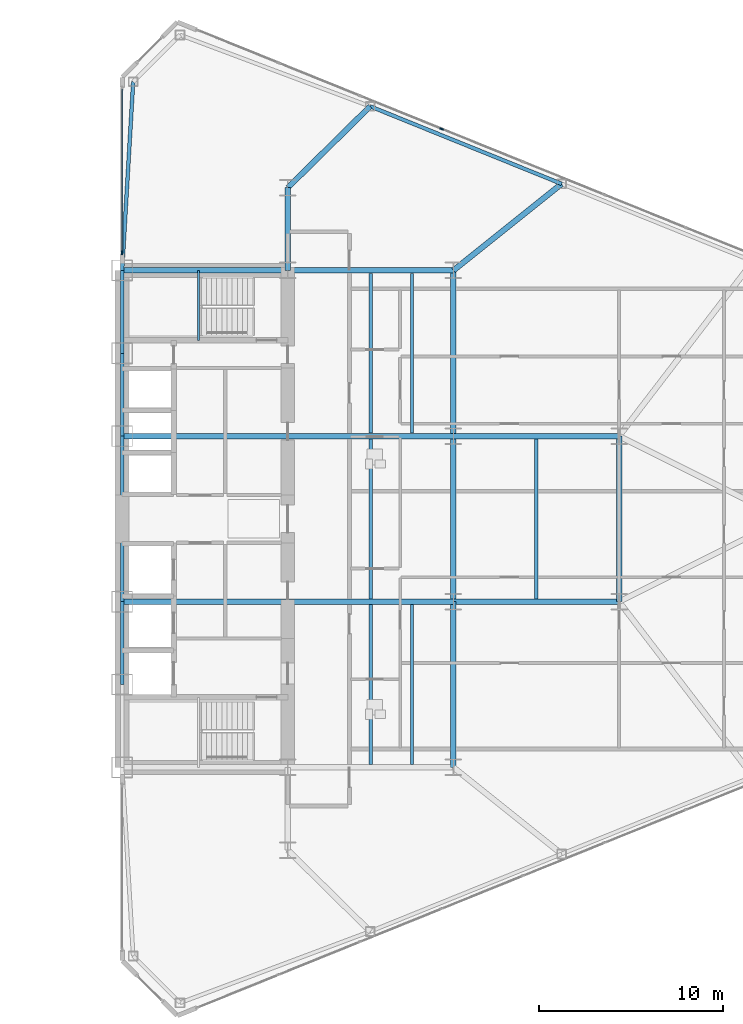
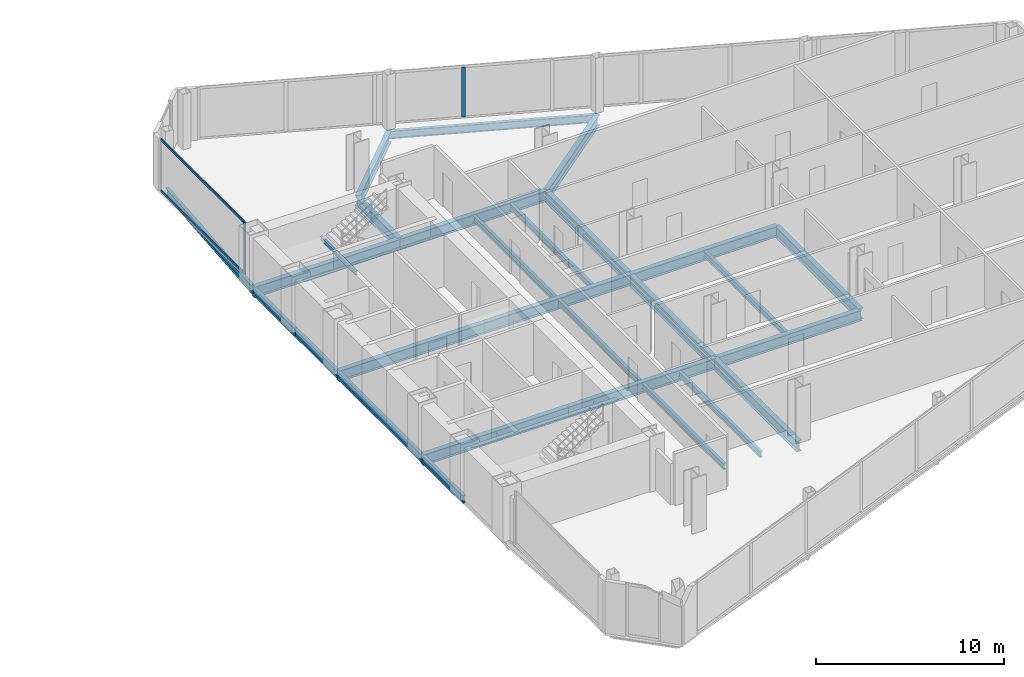
# One storey, part 11 of 25: 28 beams, 4 members, 2 elements without a shape of their own.
"""IFC4 building model written with IfcOpenShell, lengths in metres."""

from ifc_helpers import new_model, si_unit, direction, frame, origin, origin_2d, place, context, subcontext, project, spatial, rectangle, i_section, extrude, source, transform, mapped, material, layer, layer_set, material_profile, profile_set, type_object, type_shapes, element, aggregate, save


model = new_model("IFC4")

# Units and contexts
model_context = context("Model", 3, precision=1e-05, world=origin(), true_north=direction((0.0, 1.0)))
body_context = subcontext(model_context, "Body", "Model", "MODEL_VIEW")
ifc_project = project(units=[si_unit("LENGTHUNIT", "METRE"), si_unit("AREAUNIT", "SQUARE_METRE"), si_unit("VOLUMEUNIT", "CUBIC_METRE"), si_unit("PLANEANGLEUNIT", "RADIAN"), si_unit("MASSUNIT", "GRAM", prefix="KILO")], contexts=[model_context])

# Site, building, storey
site_placement = place(None, origin())
site = spatial("IfcSite", under=ifc_project, at=site_placement, CompositionType="ELEMENT")
building_placement = place(site_placement, origin())
building = spatial("IfcBuilding", under=site, at=building_placement, Name="Seokmaru Belvedere", CompositionType="ELEMENT")
storey_placement = place(building_placement, frame((0.0, 0.0, 44.10009765625)))
storey = spatial("IfcBuildingStorey", under=building, at=storey_placement, Name="L11", CompositionType="ELEMENT", Elevation=44.10009765625)

# Beams
ifc_material_1 = material(Name="Steel SM355 (355 MPa)", Category="steel")
ifc_material_profile_1 = material_profile(ifc_material_1, i_section(OverallWidth=0.199951171875, OverallDepth=0.5, WebThickness=0.010009765625, FlangeThickness=0.01611328125, at=origin_2d()), Name="H-500x200x10x16")
ifc_profile_set_1 = profile_set([ifc_material_profile_1], Name="Steel SM355 (355 MPa)")
beam_type_1 = type_object("IfcBeamType", Name="Perimeter Spandrel Beam H-500", PredefinedType="SPANDREL", material=ifc_profile_set_1)
shared_shape_1 = source(origin(), body_context, "Body", "SweptSolid", [
    extrude(i_section(OverallWidth=0.199951171875, OverallDepth=0.5, WebThickness=0.010009765625, FlangeThickness=0.01611328125, at=origin_2d()), origin(), (0.0, 0.0, 1.0), 4.5),
])
for number, where, z_axis, x_axis, name in (
    (1, (27.5, -9.0, -0.47021484375), (0.0, 1.0, 0.0), (-1.0, 0.0, 0.0), "L11 E Portal Spine Spandrel 2"),
    (2, (27.5, 4.5, -0.47021484375), (0.0, 1.0, 0.0), (-1.0, 0.0, 0.0), "L11 E Portal Spine Spandrel 4"),
    (3, (27.5, 9.0, -0.47021484375), (0.0, 1.0, 0.0), (-1.0, 0.0, 0.0), "L11 E Portal Spine Spandrel 5"),
):
    element("IfcBeam", number, at=place(storey_placement, frame(where, z_axis=z_axis, x_axis=x_axis)), inside=storey, type_object=beam_type_1, Name=name, PredefinedType="SPANDREL", context=body_context, shape_type="MappedRepresentation", body=[
        mapped(shared_shape_1, transform((0.0, 0.0, 0.0), scale=1.0)),
    ])
shared_shape_2 = source(origin(), body_context, "Body", "SweptSolid", [
    extrude(i_section(OverallWidth=0.199951171875, OverallDepth=0.5, WebThickness=0.010009765625, FlangeThickness=0.01611328125, at=origin_2d()), origin(), (0.0, 0.0, 1.0), 9.0),
])
beam_1_placement = place(storey_placement, frame((27.5, -4.5, -0.47021484375), z_axis=(0.0, 1.0, 0.0), x_axis=(-1.0, 0.0, 0.0)))
element("IfcBeam", 4, at=beam_1_placement, inside=storey, type_object=beam_type_1, Name="L11 E Portal Spine Spandrel 3", PredefinedType="SPANDREL", context=body_context, shape_type="MappedRepresentation", body=[
    mapped(shared_shape_2, transform((0.0, 0.0, 0.0), scale=1.0)),
])
ifc_material_profile_2 = material_profile(ifc_material_1, i_section(OverallWidth=0.300048828125, OverallDepth=0.699951171875, WebThickness=0.012939453125, FlangeThickness=0.02392578125, at=origin_2d()), Name="H-700x300x13x24")
ifc_profile_set_2 = profile_set([ifc_material_profile_2], Name="Steel SM355 (355 MPa)")
beam_type_2 = type_object("IfcBeamType", Name="Primary Floor Girder H-700", PredefinedType="BEAM", material=ifc_profile_set_2)
shared_shape_3 = source(origin(), body_context, "Body", "SweptSolid", [
    extrude(i_section(OverallWidth=0.300048828125, OverallDepth=0.699951171875, WebThickness=0.012939453125, FlangeThickness=0.02392578125, at=origin_2d()), origin(), (0.0, 0.0, 1.0), 4.5),
])
beam_2_placement = place(storey_placement, frame((36.5, 13.5, -0.570068359375), z_axis=(0.0, 1.0, 0.0), x_axis=(-1.0, 0.0, 0.0)))
element("IfcBeam", 5, at=beam_2_placement, inside=storey, type_object=beam_type_2, Name="L11 E Core Shoulder Girder N", PredefinedType="BEAM", context=body_context, shape_type="MappedRepresentation", body=[
    mapped(shared_shape_3, transform((0.0, 0.0, 0.0), scale=1.0)),
])
shared_shape_4 = source(origin(), body_context, "Body", "SweptSolid", [
    extrude(i_section(OverallWidth=0.300048828125, OverallDepth=0.699951171875, WebThickness=0.012939453125, FlangeThickness=0.02392578125, at=origin_2d()), origin(), (0.0, 0.0, 1.0), 9.0),
])
for number, where, z_axis, x_axis, name in (
    (6, (45.5, -13.5, -0.570068359375), (0.0, 1.0, 0.0), (-1.0, 0.0, 0.0), "L11 E Interior Grid Girder 1"),
    (7, (45.5, -4.5, -0.570068359375), (0.0, 1.0, 0.0), (-1.0, 0.0, 0.0), "L11 E Interior Grid Girder 2"),
    (8, (45.5, 4.5, -0.570068359375), (0.0, 1.0, 0.0), (-1.0, 0.0, 0.0), "L11 E Interior Grid Girder 3"),
    (9, (27.5, -4.5, -0.570068359375), (1.0, 0.0, 0.0), (0.0, 1.0, 0.0), "L11 E Core Tie Girder 2"),
    (10, (36.5, -4.5, -0.570068359375), (1.0, 0.0, 0.0), (0.0, 1.0, 0.0), "L11 E Wing Primary Girder 2"),
    (11, (27.5, 4.5, -0.570068359375), (1.0, 0.0, 0.0), (0.0, 1.0, 0.0), "L11 E Core Tie Girder 3"),
    (12, (36.5, 4.5, -0.570068359375), (1.0, 0.0, 0.0), (0.0, 1.0, 0.0), "L11 E Wing Primary Girder 3"),
    (13, (27.5, 13.5, -0.570068359375), (1.0, 0.0, 0.0), (0.0, 1.0, 0.0), "L11 E Core Tie Girder 4"),
    (14, (36.5, 13.5, -0.570068359375), (1.0, 0.0, 0.0), (0.0, 1.0, 0.0), "L11 E Wing Primary Girder 4"),
    (15, (45.5, -4.5, -0.570068359375), (1.0, 0.0, 0.0), (0.0, 1.0, 0.0), "L11 E Outer Wing Girder 1"),
    (16, (45.5, 4.5, -0.570068359375), (1.0, 0.0, 0.0), (0.0, 1.0, 0.0), "L11 E Outer Wing Girder 2"),
    (17, (54.5, -4.5, -0.570068359375), (0.0, 1.0, 0.0), (-1.0, 0.0, 0.0), "L11 E Apex Frame Girder"),
):
    element("IfcBeam", number, at=place(storey_placement, frame(where, z_axis=z_axis, x_axis=x_axis)), inside=storey, type_object=beam_type_2, Name=name, PredefinedType="BEAM", context=body_context, shape_type="MappedRepresentation", body=[
        mapped(shared_shape_4, transform((0.0, 0.0, 0.0), scale=1.0)),
    ])
ifc_material_profile_3 = material_profile(ifc_material_1, i_section(OverallWidth=0.18505859375, OverallDepth=0.389892578125, WebThickness=0.008056640625, FlangeThickness=0.011962890625, at=origin_2d()), Name="H-390x185x8x12")
ifc_profile_set_3 = profile_set([ifc_material_profile_3], Name="Steel SM355 (355 MPa)")
beam_type_3 = type_object("IfcBeamType", Name="Secondary Floor Joist H-350", PredefinedType="JOIST", material=ifc_profile_set_3)
shared_shape_5 = source(origin(), body_context, "Body", "SweptSolid", [
    extrude(i_section(OverallWidth=0.18505859375, OverallDepth=0.389892578125, WebThickness=0.008056640625, FlangeThickness=0.011962890625, at=origin_2d()), origin(), (0.0, 0.0, 1.0), 8.68994140625),
])
type_shapes(beam_type_3, [shared_shape_5])
for number, where, z_axis, x_axis, name in (
    (18, (43.25, -13.344970703125, -0.4150390625), (0.0, 1.0, 0.0), (-1.0, 0.0, 0.0), "L11 E Wing Inner Secondary Joist 1"),
    (19, (43.25, 4.655029296875, -0.4150390625), (0.0, 1.0, 0.0), (-1.0, 0.0, 0.0), "L11 E Wing Inner Secondary Joist 2"),
    (20, (41.0, -13.344970703125, -0.4150390625), (0.0, 1.0, 0.0), (-1.0, 0.0, 0.0), "L11 E Secondary Floor Joist 1"),
    (21, (41.0, -4.344970703125, -0.4150390625), (0.0, 1.0, 0.0), (-1.0, 0.0, 0.0), "L11 E Secondary Floor Joist 2"),
    (22, (41.0, 4.655029296875, -0.4150390625), (0.0, 1.0, 0.0), (-1.0, 0.0, 0.0), "L11 E Secondary Floor Joist 3"),
    (23, (50.0, -4.344970703125, -0.4150390625), (0.0, 1.0, 0.0), (-1.0, 0.0, 0.0), "L11 E Outer Bay Secondary Joist"),
):
    element("IfcBeam", number, at=place(storey_placement, frame(where, z_axis=z_axis, x_axis=x_axis)), inside=storey, type_object=beam_type_3, Name=name, PredefinedType="JOIST", context=body_context, shape_type="MappedRepresentation", body=[
        mapped(shared_shape_5, transform((0.0, 0.0, 0.0), scale=1.0)),
    ])
shared_shape_6 = source(origin(), body_context, "Body", "SweptSolid", [
    extrude(i_section(OverallWidth=0.199951171875, OverallDepth=0.5, WebThickness=0.010009765625, FlangeThickness=0.01611328125, at=origin_2d()), origin(), (0.0, 0.0, 1.0), 11.220703125),
])
beam_3_placement = place(storey_placement, frame((40.977294921875, 22.4140625, -0.47021484375), z_axis=(0.926944290816, -0.375198989503, 0.0), x_axis=(0.375198989503, 0.926944290816, 0.0)))
element("IfcBeam", 24, at=beam_3_placement, inside=storey, type_object=beam_type_1, Name="L11 E Faceted Flank Spandrel N-2", PredefinedType="SPANDREL", context=body_context, shape_type="MappedRepresentation", body=[
    mapped(shared_shape_6, transform((0.0, 0.0, 0.0), scale=1.0)),
])
shared_shape_7 = source(origin(), body_context, "Body", "SweptSolid", [
    extrude(i_section(OverallWidth=0.199951171875, OverallDepth=0.5, WebThickness=0.010009765625, FlangeThickness=0.01611328125, at=origin_2d()), origin(), (0.0, 0.0, 1.0), 10.26904296875),
])
type_shapes(beam_type_1, [shared_shape_1, shared_shape_2, shared_shape_6, shared_shape_7])
beam_4_placement = place(storey_placement, frame((28.10009765625, 23.75146484375, -0.47021484375), z_axis=(-0.058437709399, -0.998291056817, 0.0), x_axis=(0.998291056817, -0.058437709399, 0.0)))
element("IfcBeam", 25, at=beam_4_placement, inside=storey, type_object=beam_type_1, Name="L11 E Shoulder Spine Spandrel N", PredefinedType="SPANDREL", context=body_context, shape_type="MappedRepresentation", body=[
    mapped(shared_shape_7, transform((0.0, 0.0, 0.0), scale=1.0)),
])
shared_shape_8 = source(origin(), body_context, "Body", "SweptSolid", [
    extrude(i_section(OverallWidth=0.300048828125, OverallDepth=0.699951171875, WebThickness=0.012939453125, FlangeThickness=0.02392578125, at=origin_2d()), origin(), (0.0, 0.0, 1.0), 6.287353515625),
])
beam_5_placement = place(storey_placement, frame((40.977294921875, 22.4140625, -0.570068359375), z_axis=(-0.712117485263, -0.702060315915, 0.0), x_axis=(0.702060315915, -0.712117485263, 0.0)))
element("IfcBeam", 26, at=beam_5_placement, inside=storey, type_object=beam_type_2, Name="L11 E Flank Radial Floor Girder N-1", PredefinedType="BEAM", context=body_context, shape_type="MappedRepresentation", body=[
    mapped(shared_shape_8, transform((0.0, 0.0, 0.0), scale=1.0)),
])
shared_shape_9 = source(origin(), body_context, "Body", "SweptSolid", [
    extrude(i_section(OverallWidth=0.300048828125, OverallDepth=0.699951171875, WebThickness=0.012939453125, FlangeThickness=0.02392578125, at=origin_2d()), origin(), (0.0, 0.0, 1.0), 7.52880859375),
])
type_shapes(beam_type_2, [shared_shape_3, shared_shape_4, shared_shape_8, shared_shape_9])
beam_6_placement = place(storey_placement, frame((51.378173828125, 18.2041015625, -0.570068359375), z_axis=(-0.780767560736, -0.624821587418, 0.0), x_axis=(0.624821587418, -0.780767560736, 0.0)))
element("IfcBeam", 27, at=beam_6_placement, inside=storey, type_object=beam_type_2, Name="L11 E Flank Radial Floor Girder N-2", PredefinedType="BEAM", context=body_context, shape_type="MappedRepresentation", body=[
    mapped(shared_shape_9, transform((0.0, 0.0, 0.0), scale=1.0)),
])

# Curtain wall, members
ifc_material_2 = material(Name="Bronze Triple Insulating Glass", Category="glass")
ifc_layer = layer(ifc_material_2, 0.2099609375)
ifc_layer_set = layer_set([ifc_layer], Name="Bronze Triple Insulating Glass")
curtain_wall_type = type_object("IfcCurtainWallType", Name="Low-Rise Faceted Crystal Curtain Wall System CW-2", PredefinedType="NOTDEFINED", material=ifc_layer_set)
curtain_wall_1_placement = place(storey_placement, origin())
curtain_wall_1 = element("IfcCurtainWall", 28, at=curtain_wall_1_placement, inside=storey, type_object=curtain_wall_type, Name="L11 Curtain Wall ESP_2", PredefinedType="NOTDEFINED")
ifc_material_3 = material(Name="Anodised Bronze Aluminium", Category="aluminium")
ifc_material_profile_4 = material_profile(ifc_material_3, rectangle(XDim=0.070068359375, YDim=0.1650390625, at=origin_2d()), Name="CW-T-70x165")
ifc_profile_set_4 = profile_set([ifc_material_profile_4], Name="Anodised Bronze Aluminium")
member_type_1 = type_object("IfcMemberType", Name="Bronze Unitised Transom 70x165", PredefinedType="USERDEFINED", material=ifc_profile_set_4)
shared_shape_10 = source(origin(), body_context, "Body", "SweptSolid", [
    extrude(rectangle(XDim=0.070068359375, YDim=0.1650390625, at=origin_2d()), origin(), (0.0, 0.0, 1.0), 8.85009765625),
])
type_shapes(member_type_1, [shared_shape_10])
member_1_placement = place(storey_placement, frame((27.5, 23.35498046875, 0.034912109375), z_axis=(0.0, -1.0, 0.0), x_axis=(1.0, 0.0, 0.0)))
member_1 = element("IfcMember", 29, at=member_1_placement, type_object=member_type_1, Name="CW:L11:ESP_2 Continuous Transom 1", ObjectType="TRANSOM", PredefinedType="USERDEFINED", context=body_context, shape_type="MappedRepresentation", body=[
    mapped(shared_shape_10, transform((0.0, 0.0, 0.0), scale=1.0)),
])
member_2_placement = place(storey_placement, frame((27.5, 23.35498046875, 3.344970703125), z_axis=(0.0, -1.0, 0.0), x_axis=(1.0, 0.0, 0.0)))
member_2 = element("IfcMember", 30, at=member_2_placement, type_object=member_type_1, Name="CW:L11:ESP_2 Continuous Transom 2", ObjectType="TRANSOM", PredefinedType="USERDEFINED", context=body_context, shape_type="MappedRepresentation", body=[
    mapped(shared_shape_10, transform((0.0, 0.0, 0.0), scale=1.0)),
])

# Curtain wall, member
curtain_wall_2_placement = place(storey_placement, origin())
curtain_wall_2 = element("IfcCurtainWall", 31, at=curtain_wall_2_placement, inside=storey, type_object=curtain_wall_type, Name="L11 Curtain Wall EF3", PredefinedType="NOTDEFINED")
ifc_material_profile_5 = material_profile(ifc_material_3, rectangle(XDim=0.074951171875, YDim=0.2099609375, at=origin_2d()), Name="CW-M-75x210")
ifc_profile_set_5 = profile_set([ifc_material_profile_5], Name="Anodised Bronze Aluminium")
member_type_2 = type_object("IfcMemberType", Name="Bronze Unitised Mullion 75x210", PredefinedType="MULLION", material=ifc_profile_set_5)
shared_shape_11 = source(origin(), body_context, "Body", "SweptSolid", [
    extrude(rectangle(XDim=0.074951171875, YDim=0.2099609375, at=origin_2d()), origin(), (0.0, 0.0, 1.0), 3.239990234375),
])
member_3_placement = place(storey_placement, frame((44.855224609375, 21.189453125, 0.06982421875), z_axis=(0.0, 0.0, 1.0), x_axis=(-0.375192321888, -0.926946989637, 0.0)))
member_3 = element("IfcMember", 32, at=member_3_placement, type_object=member_type_2, Name="CW:L11:EF3 Mullion 7", PredefinedType="MULLION", context=body_context, shape_type="MappedRepresentation", body=[
    mapped(shared_shape_11, transform((0.0, 0.0, 0.0), scale=1.0)),
])
aggregate(curtain_wall_2, [member_3])

# Member
shared_shape_12 = source(origin(), body_context, "Body", "SweptSolid", [
    extrude(rectangle(XDim=0.074951171875, YDim=0.2099609375, at=origin_2d()), origin(), (0.0, 0.0, 1.0), 3.3798828125),
])
type_shapes(member_type_2, [shared_shape_11, shared_shape_12])
member_4_placement = place(storey_placement, frame((27.5, 14.467529296875, 0.0), z_axis=(0.0, 0.0, 1.0), x_axis=(1.0, 0.0, 0.0)))
member_4 = element("IfcMember", 33, at=member_4_placement, type_object=member_type_2, Name="CW:L11:ESP_2 Mullion 2", PredefinedType="MULLION", context=body_context, shape_type="MappedRepresentation", body=[
    mapped(shared_shape_12, transform((0.0, 0.0, 0.0), scale=1.0)),
])

aggregate(curtain_wall_1, [member_4, member_1, member_2])

# Beam
ifc_material_profile_6 = material_profile(ifc_material_1, i_section(OverallWidth=0.125, OverallDepth=0.25, WebThickness=0.006103515625, FlangeThickness=0.009033203125, at=origin_2d()), Name="H-250x125x6x9")
ifc_profile_set_6 = profile_set([ifc_material_profile_6], Name="Steel SM355 (355 MPa)")
beam_type_4 = type_object("IfcBeamType", Name="Stair Mid-Landing Support Beam H-250", PredefinedType="JOIST", material=ifc_profile_set_6)
shared_shape_13 = source(origin(), body_context, "Body", "SweptSolid", [
    extrude(i_section(OverallWidth=0.125, OverallDepth=0.25, WebThickness=0.006103515625, FlangeThickness=0.009033203125, at=origin_2d()), origin(), (0.0, 0.0, 1.0), 3.800048828125),
])
type_shapes(beam_type_4, [shared_shape_13])
beam_7_placement = place(storey_placement, frame((31.64990234375, 9.699951171875, 1.474853515625), z_axis=(0.0, 1.0, 0.0), x_axis=(-1.0, 0.0, 0.0)))
element("IfcBeam", 34, at=beam_7_placement, inside=storey, type_object=beam_type_4, Name="L11 Stair ST-E2 Mid-Landing Support Beam 1", PredefinedType="JOIST", context=body_context, shape_type="MappedRepresentation", body=[
    mapped(shared_shape_13, transform((0.0, 0.0, 0.0), scale=1.0)),
])

save(model, "model.ifc")
